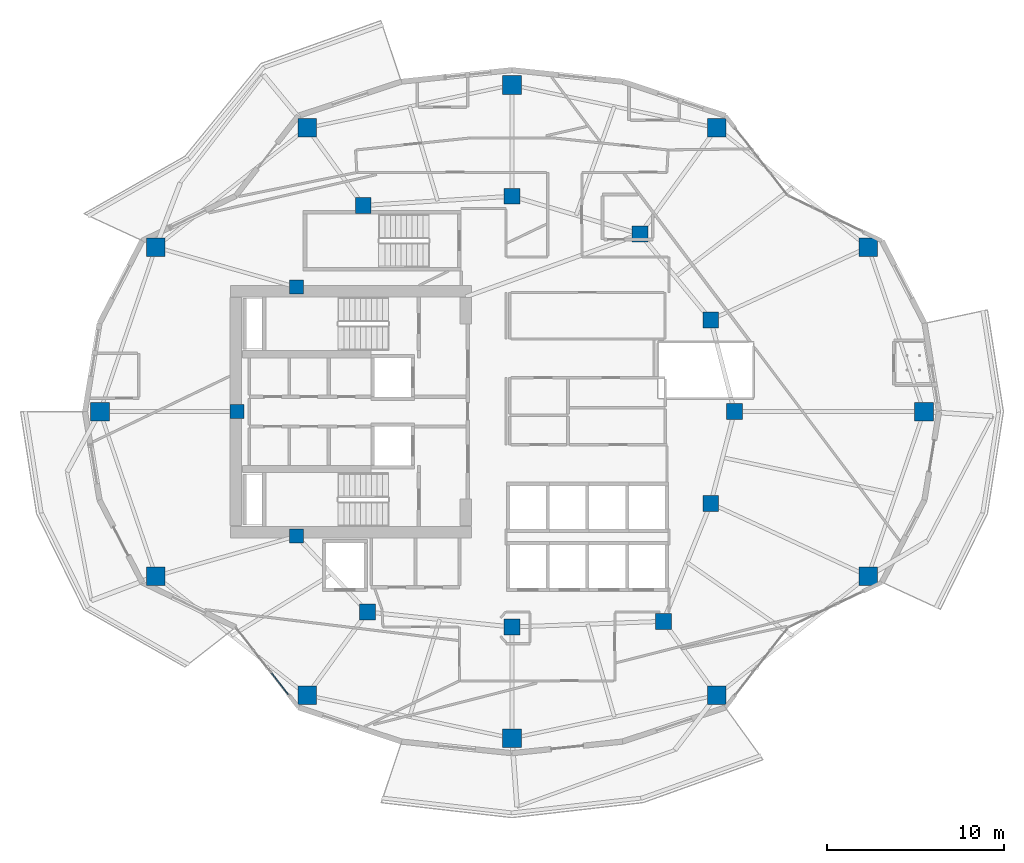
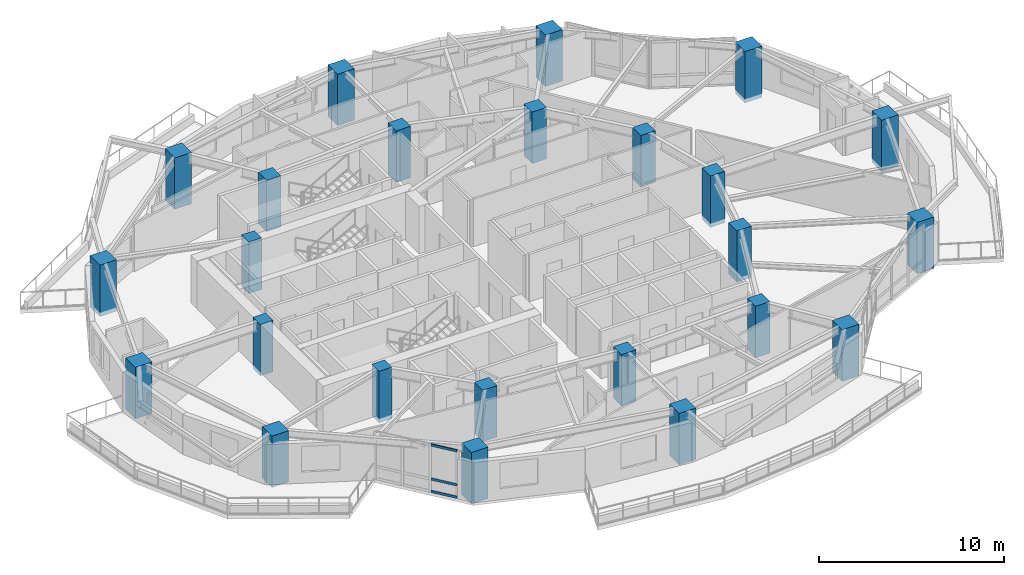
# One storey, part 1 of 19: 24 columns, 3 members, 1 element without a shape of its own.
"""IFC4 building model written with IfcOpenShell, lengths in metres."""

from ifc_helpers import new_model, si_unit, direction, frame, origin, origin_2d, place, context, subcontext, project, spatial, rectangle, extrude, material, layer, layer_set, material_profile, profile_set, type_object, element, aggregate, save


model = new_model("IFC4")

# Units and contexts
model_context = context("Model", 3, precision=1e-05, world=origin(), true_north=direction((0.0, 1.0)))
body_context = subcontext(model_context, "Body", "Model", "MODEL_VIEW")
ifc_project = project(units=[si_unit("LENGTHUNIT", "METRE"), si_unit("AREAUNIT", "SQUARE_METRE"), si_unit("VOLUMEUNIT", "CUBIC_METRE"), si_unit("PLANEANGLEUNIT", "RADIAN"), si_unit("MASSUNIT", "GRAM", prefix="KILO")], contexts=[model_context])

# Site, building, storey
site_placement = place(None, origin())
site = spatial("IfcSite", under=ifc_project, at=site_placement, CompositionType="ELEMENT")
building_placement = place(site_placement, origin())
building = spatial("IfcBuilding", under=site, at=building_placement, Name="Kolvaren Gate Tower and Convention Centre", CompositionType="ELEMENT")
storey_placement = place(building_placement, frame((0.0, 0.0, 122.300048828125)))
storey = spatial("IfcBuildingStorey", under=building, at=storey_placement, Name="L30", CompositionType="ELEMENT", Elevation=122.300048828125)

# Columns
ifc_material_1 = material(Name="Concrete C60/75", Category="concrete")
ifc_material_profile_1 = material_profile(ifc_material_1, rectangle(XDim=1.050048828125, YDim=1.050048828125, at=origin_2d()), Name="RC-COL-1050X1050")
ifc_profile_set_1 = profile_set([ifc_material_profile_1], Name="Concrete C60/75")
column_type_1 = type_object("IfcColumnType", Name="STR-COL-RC1050", PredefinedType="COLUMN", material=ifc_profile_set_1)
for number, where, z_axis, x_axis, name in (
    (1, (53.46240234375, 27.0, -0.27001953125), (0.0, 0.0, 1.0), (1.0, 0.0, 0.0), "Tower L30 Perimeter Supercolumn TP-01"),
    (2, (50.30029296875, 36.318603515625, -0.27001953125), (0.0, 0.0, 1.0), (1.0, 0.0, 0.0), "Tower L30 Perimeter Supercolumn TP-02"),
    (3, (41.721435546875, 43.068359375, -0.27001953125), (0.0, 0.0, 1.0), (1.0, 0.0, 0.0), "Tower L30 Perimeter Supercolumn TP-03"),
    (4, (30.125, 45.5, -0.27001953125), (0.0, 0.0, 1.0), (1.0, 0.0, 0.0), "Tower L30 Perimeter Supercolumn TP-04"),
    (5, (18.52880859375, 43.068359375, -0.27001953125), (0.0, 0.0, 1.0), (1.0, 0.0, 0.0), "Tower L30 Perimeter Supercolumn TP-05"),
    (6, (9.94970703125, 36.318603515625, -0.27001953125), (0.0, 0.0, 1.0), (1.0, 0.0, 0.0), "Tower L30 Perimeter Supercolumn TP-06"),
    (7, (6.78759765625, 27.0, -0.27001953125), (0.0, 0.0, 1.0), (1.0, 0.0, 0.0), "Tower L30 Perimeter Supercolumn TP-07"),
    (8, (9.94970703125, 17.681396484375, -0.27001953125), (0.0, 0.0, 1.0), (1.0, 0.0, 0.0), "Tower L30 Perimeter Supercolumn TP-08"),
    (9, (18.528564453125, 10.931640625, -0.27001953125), (0.0, 0.0, 1.0), (1.0, 0.0, 0.0), "Tower L30 Perimeter Supercolumn TP-09"),
    (10, (30.125, 8.5, -0.27001953125), (0.0, 0.0, 1.0), (1.0, 0.0, 0.0), "Tower L30 Perimeter Supercolumn TP-10"),
    (11, (41.721435546875, 10.931640625, -0.27001953125), (0.0, 0.0, 1.0), (1.0, 0.0, 0.0), "Tower L30 Perimeter Supercolumn TP-11"),
    (12, (50.30029296875, 17.681396484375, -0.27001953125), (0.0, 0.0, 1.0), (1.0, 0.0, 0.0), "Tower L30 Perimeter Supercolumn TP-12"),
):
    element("IfcColumn", number, at=place(storey_placement, frame(where, z_axis=z_axis, x_axis=x_axis)), inside=storey, type_object=column_type_1, Name=name, PredefinedType="COLUMN", context=body_context, shape_type="SweptSolid", body=[
        extrude(rectangle(XDim=1.050048828125, YDim=1.050048828125, at=origin_2d()), origin(), (0.0, 0.0, 1.0), 3.39990234375),
    ])
ifc_material_profile_2 = material_profile(ifc_material_1, rectangle(XDim=0.89990234375, YDim=0.89990234375, at=origin_2d()), Name="RC-COL-900X900")
ifc_profile_set_2 = profile_set([ifc_material_profile_2], Name="Concrete C60/75")
column_type_2 = type_object("IfcColumnType", Name="STR-COL-RC900", PredefinedType="COLUMN", material=ifc_profile_set_2)
for number, where, z_axis, x_axis, name in (
    (13, (42.72509765625, 27.0, -0.27001953125), (0.0, 0.0, 1.0), (1.0, 0.0, 0.0), "Tower L30 Interior Column TI-01"),
    (14, (41.382080078125, 32.199462890625, -0.27001953125), (0.0, 0.0, 1.0), (1.0, 0.0, 0.0), "Tower L30 Interior Column TI-02"),
    (15, (37.381591796875, 37.054931640625, -0.27001953125), (0.0, 0.0, 1.0), (1.0, 0.0, 0.0), "Tower L30 Interior Column TI-03"),
    (16, (30.125, 39.199951171875, -0.27001953125), (0.0, 0.0, 1.0), (1.0, 0.0, 0.0), "Tower L30 Interior Column TI-04"),
    (17, (21.697998046875, 38.6767578125, -0.27001953125), (0.0, 0.0, 1.0), (1.0, 0.0, 0.0), "Tower L30 Interior Column TI-05"),
    (18, (21.93212890625, 15.647705078125, -0.27001953125), (0.0, 0.0, 1.0), (1.0, 0.0, 0.0), "Tower L30 Interior Column TI-06"),
    (19, (30.125, 14.800048828125, -0.27001953125), (0.0, 0.0, 1.0), (1.0, 0.0, 0.0), "Tower L30 Interior Column TI-07"),
    (20, (38.6982421875, 15.12060546875, -0.27001953125), (0.0, 0.0, 1.0), (1.0, 0.0, 0.0), "Tower L30 Interior Column TI-08"),
    (21, (41.382080078125, 21.800537109375, -0.27001953125), (0.0, 0.0, 1.0), (1.0, 0.0, 0.0), "Tower L30 Interior Column TI-09"),
):
    element("IfcColumn", number, at=place(storey_placement, frame(where, z_axis=z_axis, x_axis=x_axis)), inside=storey, type_object=column_type_2, Name=name, PredefinedType="COLUMN", context=body_context, shape_type="SweptSolid", body=[
        extrude(rectangle(XDim=0.89990234375, YDim=0.89990234375, at=origin_2d()), origin(), (0.0, 0.0, 1.0), 3.39990234375),
    ])
ifc_material_profile_3 = material_profile(ifc_material_1, rectangle(XDim=0.800048828125, YDim=0.800048828125, at=origin_2d()), Name="RC-COL-800X800")
ifc_profile_set_3 = profile_set([ifc_material_profile_3], Name="Concrete C60/75")
column_type_3 = type_object("IfcColumnType", Name="STR-PIL-RC800", PredefinedType="PILASTER", material=ifc_profile_set_3)
for number, where, z_axis, x_axis, name in (
    (22, (17.9140625, 34.050048828125, -0.27001953125), (0.0, 0.0, 1.0), (1.0, 0.0, 0.0), "Tower L30 Core Boundary Pilaster TC-05"),
    (23, (14.550048828125, 27.0, -0.27001953125), (0.0, 0.0, 1.0), (1.0, 0.0, 0.0), "Tower L30 Core Boundary Pilaster TC-06"),
    (24, (17.9140625, 19.949951171875, -0.27001953125), (0.0, 0.0, 1.0), (1.0, 0.0, 0.0), "Tower L30 Core Boundary Pilaster TC-07"),
):
    element("IfcColumn", number, at=place(storey_placement, frame(where, z_axis=z_axis, x_axis=x_axis)), inside=storey, type_object=column_type_3, Name=name, PredefinedType="PILASTER", context=body_context, shape_type="SweptSolid", body=[
        extrude(rectangle(XDim=0.800048828125, YDim=0.800048828125, at=origin_2d()), origin(), (0.0, 0.0, 1.0), 3.39990234375),
    ])

# Curtain wall, members
ifc_material_2 = material(Name="Anodized Architectural Aluminium Alloy 6063-T6", Category="aluminium")
ifc_layer = layer(ifc_material_2, 0.159912109375)
ifc_layer_set = layer_set([ifc_layer], Name="Anodized Architectural Aluminium Alloy 6063-T6")
curtain_wall_type = type_object("IfcCurtainWallType", Name="CW-HTL-UNIT", PredefinedType="NOTDEFINED", material=ifc_layer_set)
curtain_wall_placement = place(storey_placement, origin())
curtain_wall = element("IfcCurtainWall", 25, at=curtain_wall_placement, inside=storey, type_object=curtain_wall_type, Name="Tower L30 Unitised Curtain Wall CW-HTL-UNIT Bay 15", PredefinedType="NOTDEFINED")
ifc_material_profile_4 = material_profile(ifc_material_2, rectangle(XDim=0.06494140625, YDim=0.159912109375, at=origin_2d()), Name="CW-MEM-TRN-160")
ifc_profile_set_4 = profile_set([ifc_material_profile_4], Name="Anodized Architectural Aluminium Alloy 6063-T6")
member_type = type_object("IfcMemberType", Name="CW-MEM-TRN-160", PredefinedType="USERDEFINED", material=ifc_profile_set_4)
member_1_placement = place(storey_placement, frame((16.508056640625, 12.188232421875, 0.032470703125), z_axis=(0.61639000373, -0.78744102211, 0.0), x_axis=(0.78744102211, 0.61639000373, 0.0)))
member_1 = element("IfcMember", 26, at=member_1_placement, type_object=member_type, Name="CW-03 transom 3.1", ObjectType="TRANSOM", PredefinedType="USERDEFINED", context=body_context, shape_type="SweptSolid", body=[
    extrude(rectangle(XDim=0.06494140625, YDim=0.159912109375, at=origin_2d()), origin(), (0.0, 0.0, 1.0), 1.530029296875),
])
member_2_placement = place(storey_placement, frame((16.508056640625, 12.188232421875, 0.849853515625), z_axis=(0.61639000373, -0.78744102211, 0.0), x_axis=(0.78744102211, 0.61639000373, 0.0)))
member_2 = element("IfcMember", 27, at=member_2_placement, type_object=member_type, Name="CW-03 transom 3.2", ObjectType="TRANSOM", PredefinedType="USERDEFINED", context=body_context, shape_type="SweptSolid", body=[
    extrude(rectangle(XDim=0.06494140625, YDim=0.159912109375, at=origin_2d()), origin(), (0.0, 0.0, 1.0), 1.530029296875),
])
member_3_placement = place(storey_placement, frame((16.508056640625, 12.188232421875, 3.097412109375), z_axis=(0.61639000373, -0.78744102211, 0.0), x_axis=(0.78744102211, 0.61639000373, 0.0)))
member_3 = element("IfcMember", 28, at=member_3_placement, type_object=member_type, Name="CW-03 transom 3.3", ObjectType="TRANSOM", PredefinedType="USERDEFINED", context=body_context, shape_type="SweptSolid", body=[
    extrude(rectangle(XDim=0.06494140625, YDim=0.159912109375, at=origin_2d()), origin(), (0.0, 0.0, 1.0), 1.530029296875),
])
aggregate(curtain_wall, [member_1, member_2, member_3])

save(model, "model.ifc")
